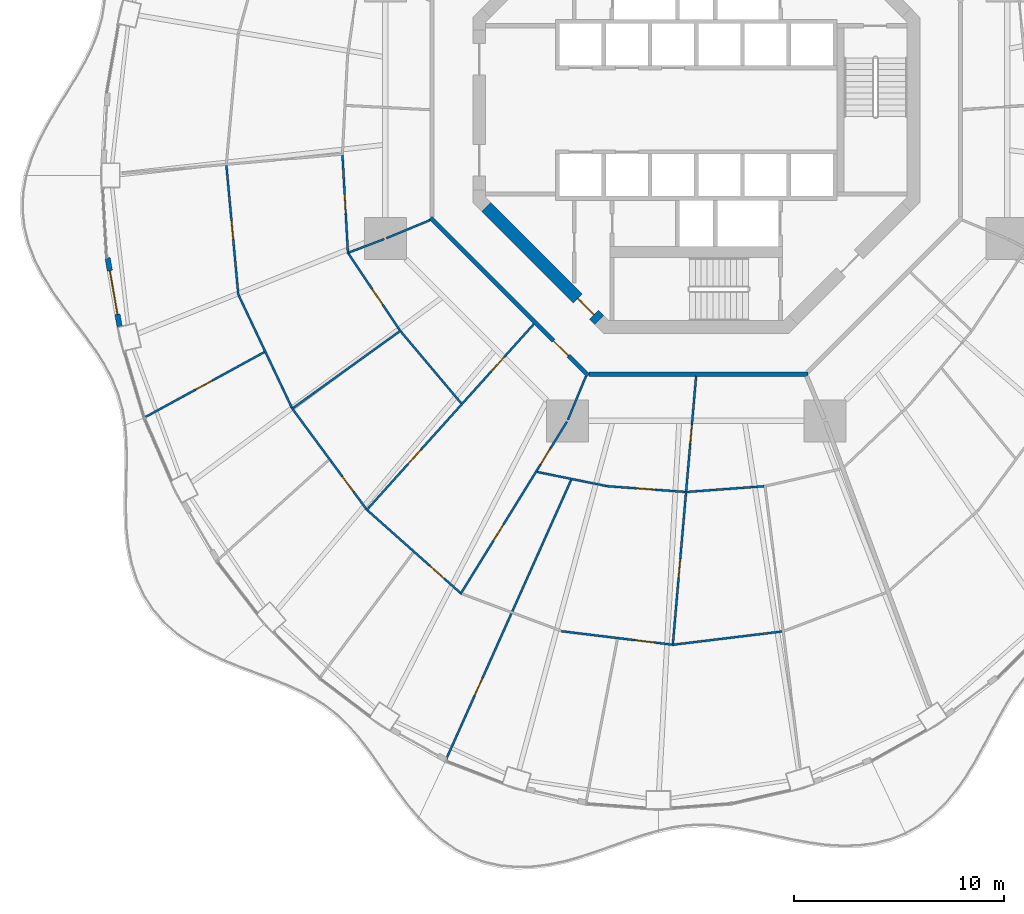
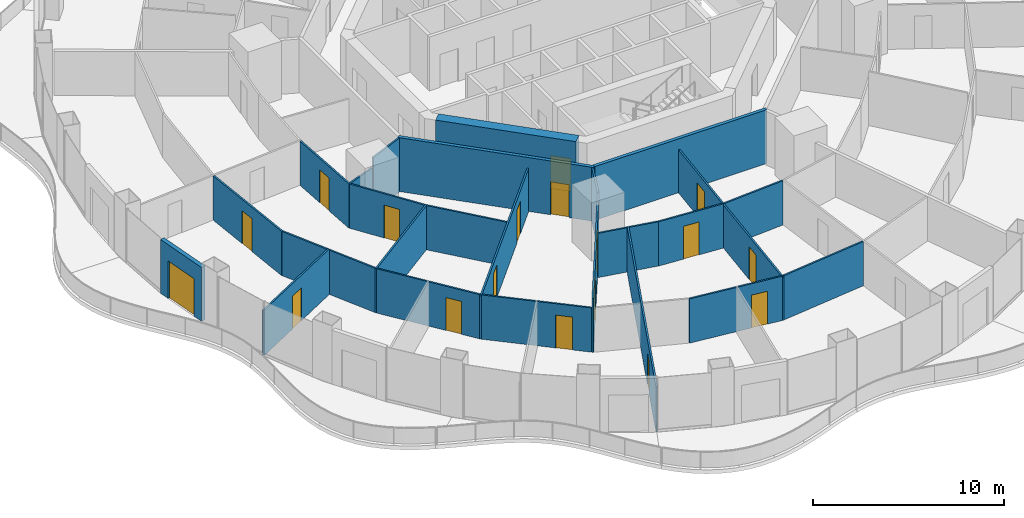
# One storey, part 12 of 20: 25 walls, 18 doors, 18 openings.
"""IFC4 building model written with IfcOpenShell, lengths in metres."""

from ifc_helpers import new_model, si_unit, direction, frame, frame_2d, origin, place, context, subcontext, project, spatial, rectangle, extrude, material, layer, layer_set, type_object, element, fill, save


model = new_model("IFC4")

# Units and contexts
model_context = context("Model", 3, precision=1e-05, world=origin(), true_north=direction((0.0, 1.0)))
body_context = subcontext(model_context, "Body", "Model", "MODEL_VIEW")
ifc_project = project(units=[si_unit("LENGTHUNIT", "METRE"), si_unit("AREAUNIT", "SQUARE_METRE"), si_unit("VOLUMEUNIT", "CUBIC_METRE"), si_unit("PLANEANGLEUNIT", "RADIAN"), si_unit("MASSUNIT", "GRAM", prefix="KILO")], contexts=[model_context])

# Site, building, storey
site_placement = place(None, origin())
site = spatial("IfcSite", under=ifc_project, at=site_placement, CompositionType="ELEMENT")
building_placement = place(site_placement, origin())
building = spatial("IfcBuilding", under=site, at=building_placement, Name="Nagisa Residences", CompositionType="ELEMENT")
storey_placement = place(building_placement, frame((0.0, 0.0, 123.300048828125)))
storey = spatial("IfcBuildingStorey", under=building, at=storey_placement, Name="L30", CompositionType="ELEMENT", Elevation=123.300048828125)

# Wall, opening, door
ifc_material_1 = material(Name="Gypsum board on steel studs", Category="steel")
ifc_layer_1 = layer(ifc_material_1, 0.199951171875)
ifc_layer_set_1 = layer_set([ifc_layer_1], Name="Apartment entry wall EI60 200")
wall_type_1 = type_object("IfcWallType", Name="Apartment entry wall EI60 200", PredefinedType="PARTITIONING", material=ifc_layer_set_1)
wall_1_placement = place(storey_placement, frame((-12.635498046875, -5.1337890625, 0.0), z_axis=(0.0, 0.0, 1.0), x_axis=(0.707106781187, -0.707106781187, 0.0)))
wall_1 = element("IfcWall", 1, at=wall_1_placement, inside=storey, type_object=wall_type_1, Name="wall:L30:u11", PredefinedType="PARTITIONING", context=body_context, shape_type="SweptSolid", body=[
    extrude(rectangle(XDim=10.609130859375, YDim=0.199951171875, at=frame_2d((5.3046875, 0.0))), origin(), (0.0, 0.0, 1.0), 3.43994140625),
])
opening_1_placement = place(wall_1_placement, frame((8.274169921875, 0.0, 0.0)))
opening_1 = element("IfcOpeningElement", 2, at=opening_1_placement, cuts=wall_1, Name="Opening L30-U14", PredefinedType="OPENING", context=body_context, shape_type="SweptSolid", body=[
    extrude(rectangle(XDim=1.0, YDim=2.10009765625, at=frame_2d((0.5, 1.050048828125))), frame((0.0, 0.10986328125, 0.0), z_axis=(0.0, -1.0, 0.0), x_axis=(1.0, 0.0, 0.0)), (0.0, 0.0, 1.0), 0.219970703125),
])
ifc_material_2 = material(Name="Timber fire door set", Category="wood")
door_type_1 = type_object("IfcDoorType", Name="Apartment entry door FD30S 1000x2100", OperationType="NOTDEFINED", PredefinedType="DOOR", material=ifc_material_2)
door_1_placement = place(opening_1_placement, frame((1.0, 0.0, 0.0), x_axis=(-1.0, 0.0, 0.0)))
door_1 = element("IfcDoor", 3, at=door_1_placement, inside=storey, type_object=door_type_1, Name="Entry door, Apartment 30B", OperationType="SINGLE_SWING_LEFT", OverallHeight=2.10009765625, OverallWidth=1.0, PredefinedType="DOOR", context=body_context, shape_type="SweptSolid", body=[
    extrude(rectangle(XDim=1.0, YDim=2.10009765625, at=frame_2d((0.5, 1.050048828125))), frame((0.0, 0.02490234375, 0.0), z_axis=(0.0, -1.0, 0.0), x_axis=(1.0, 0.0, 0.0)), (0.0, 0.0, 1.0), 0.050048828125),
])
fill(opening_1, door_1)

# Wall
wall_2_placement = place(storey_placement, frame((-5.1044921875, -12.564697265625, 0.0), z_axis=(0.0, 0.0, 1.0), x_axis=(1.0, 0.0, 0.0)))
element("IfcWall", 4, at=wall_2_placement, inside=storey, type_object=wall_type_1, Name="wall:L30:u12", PredefinedType="PARTITIONING", context=body_context, shape_type="SweptSolid", body=[
    extrude(rectangle(XDim=10.408935546875, YDim=0.199951171875, at=frame_2d((5.20458984375, 0.0))), origin(), (0.0, 0.0, 1.0), 3.43994140625),
])

# Wall, opening, door
ifc_material_3 = material(Name="Gypsum board on steel studs", Category="steel")
ifc_layer_2 = layer(ifc_material_3, 0.10009765625)
ifc_layer_set_2 = layer_set([ifc_layer_2], Name="Apartment partition 100")
wall_type_2 = type_object("IfcWallType", Name="Apartment partition 100", PredefinedType="PARTITIONING", material=ifc_layer_set_2)
wall_3_placement = place(storey_placement, frame((-16.81982421875, -2.158203125, 0.0), z_axis=(0.0, 0.0, 1.0), x_axis=(0.055967931845, -0.998432566879, 0.0)))
wall_3 = element("IfcWall", 5, at=wall_3_placement, inside=storey, type_object=wall_type_2, Name="wall:L30:u58", PredefinedType="PARTITIONING", context=body_context, shape_type="SweptSolid", body=[
    extrude(rectangle(XDim=4.697998046875, YDim=0.10009765625, at=frame_2d((2.34912109375, 0.0))), origin(), (0.0, 0.0, 1.0), 2.827880859375),
])
opening_2_placement = place(wall_3_placement, frame((1.8740234375, 0.0, 0.0)))
opening_2 = element("IfcOpeningElement", 6, at=opening_2_placement, cuts=wall_3, Name="Opening L30-U31", PredefinedType="OPENING", context=body_context, shape_type="SweptSolid", body=[
    extrude(rectangle(XDim=0.89990234375, YDim=2.10009765625, at=frame_2d((0.449951171875, 1.050048828125))), frame((0.0, 0.06005859375, 0.0), z_axis=(0.0, -1.0, 0.0), x_axis=(1.0, 0.0, 0.0)), (0.0, 0.0, 1.0), 0.1201171875),
])
ifc_material_4 = material(Name="Timber door set", Category="wood")
door_type_2 = type_object("IfcDoorType", Name="Apartment door 900x2100", OperationType="NOTDEFINED", PredefinedType="DOOR", material=ifc_material_4)
door_2_placement = place(opening_2_placement, origin())
door_2 = element("IfcDoor", 7, at=door_2_placement, inside=storey, type_object=door_type_2, Name="Door to store, Apartment 30B", OperationType="SINGLE_SWING_LEFT", OverallHeight=2.10009765625, OverallWidth=0.89990234375, PredefinedType="DOOR", context=body_context, shape_type="SweptSolid", body=[
    extrude(rectangle(XDim=0.89990234375, YDim=2.10009765625, at=frame_2d((0.449951171875, 1.050048828125))), frame((0.0, 0.02490234375, 0.0), z_axis=(0.0, -1.0, 0.0), x_axis=(1.0, 0.0, 0.0)), (0.0, 0.0, 1.0), 0.050048828125),
])
fill(opening_2, door_2)

wall_4_placement = place(storey_placement, frame((-22.337646484375, -2.64208984375, 0.0), z_axis=(0.0, 0.0, 1.0), x_axis=(0.091768304523, -0.995780386574, 0.0)))
wall_4 = element("IfcWall", 8, at=wall_4_placement, inside=storey, type_object=wall_type_2, Name="wall:L30:u59", PredefinedType="PARTITIONING", context=body_context, shape_type="SweptSolid", body=[
    extrude(rectangle(XDim=6.214599609375, YDim=0.10009765625, at=frame_2d((3.107421875, 0.0))), origin(), (0.0, 0.0, 1.0), 2.827880859375),
])
opening_3_placement = place(wall_4_placement, frame((2.63232421875, 0.0, 0.0)))
opening_3 = element("IfcOpeningElement", 9, at=opening_3_placement, cuts=wall_4, Name="Opening L30-U24", PredefinedType="OPENING", context=body_context, shape_type="SweptSolid", body=[
    extrude(rectangle(XDim=0.89990234375, YDim=2.10009765625, at=frame_2d((0.449951171875, 1.050048828125))), frame((0.0, 0.06005859375, 0.0), z_axis=(0.0, -1.0, 0.0), x_axis=(1.0, 0.0, 0.0)), (0.0, 0.0, 1.0), 0.1201171875),
])
door_3_placement = place(opening_3_placement, frame((0.89990234375, 0.0, 0.0), x_axis=(-1.0, 0.0, 0.0)))
door_3 = element("IfcDoor", 10, at=door_3_placement, inside=storey, type_object=door_type_2, Name="Door to living room, Apartment 30B", OperationType="SINGLE_SWING_LEFT", OverallHeight=2.10009765625, OverallWidth=0.89990234375, PredefinedType="DOOR", context=body_context, shape_type="SweptSolid", body=[
    extrude(rectangle(XDim=0.89990234375, YDim=2.10009765625, at=frame_2d((0.449951171875, 1.050048828125))), frame((0.0, 0.02490234375, 0.0), z_axis=(0.0, -1.0, 0.0), x_axis=(1.0, 0.0, 0.0)), (0.0, 0.0, 1.0), 0.050048828125),
])
fill(opening_3, door_3)

# Walls
wall_5_placement = place(storey_placement, frame((-12.6572265625, -5.24267578125, 0.0), z_axis=(0.0, 0.0, 1.0), x_axis=(-0.923864733477, -0.382719158442, 0.0)))
element("IfcWall", 11, at=wall_5_placement, inside=storey, type_object=wall_type_2, Name="wall:L30:u60", PredefinedType="PARTITIONING", context=body_context, shape_type="SweptSolid", body=[
    extrude(rectangle(XDim=2.25, YDim=0.10009765625, at=frame_2d((1.125, 0.0))), origin(), (0.0, 0.0, 1.0), 3.43994140625),
])
wall_6_placement = place(storey_placement, frame((-14.828857421875, -6.140625, 0.0), z_axis=(0.0, 0.0, 1.0), x_axis=(-0.934704367514, -0.355426146128, 0.0)))
element("IfcWall", 12, at=wall_6_placement, inside=storey, type_object=wall_type_2, Name="wall:L30:u61", PredefinedType="PARTITIONING", context=body_context, shape_type="SweptSolid", body=[
    extrude(rectangle(XDim=1.8017578125, YDim=0.10009765625, at=frame_2d((0.90087890625, 0.0))), origin(), (0.0, 0.0, 1.0), 2.827880859375),
])

# Wall, opening, door
wall_7_placement = place(storey_placement, frame((-16.53173828125, -6.84033203125, 0.0), z_axis=(0.0, 0.0, 1.0), x_axis=(0.556994773624, -0.830515997531, 0.0)))
wall_7 = element("IfcWall", 13, at=wall_7_placement, inside=storey, type_object=wall_type_2, Name="wall:L30:u62", PredefinedType="PARTITIONING", context=body_context, shape_type="SweptSolid", body=[
    extrude(rectangle(XDim=4.366455078125, YDim=0.10009765625, at=frame_2d((2.18310546875, 0.0))), origin(), (0.0, 0.0, 1.0), 2.827880859375),
])
opening_4_placement = place(wall_7_placement, frame((2.010009765625, 0.0, 0.0)))
opening_4 = element("IfcOpeningElement", 14, at=opening_4_placement, cuts=wall_7, Name="Opening L30-U18", PredefinedType="OPENING", context=body_context, shape_type="SweptSolid", body=[
    extrude(rectangle(XDim=0.89990234375, YDim=2.10009765625, at=frame_2d((0.449951171875, 1.050048828125))), frame((0.0, 0.06005859375, 0.0), z_axis=(0.0, -1.0, 0.0), x_axis=(1.0, 0.0, 0.0)), (0.0, 0.0, 1.0), 0.1201171875),
])
door_4_placement = place(opening_4_placement, frame((0.89990234375, 0.0, 0.0), x_axis=(-1.0, 0.0, 0.0)))
door_4 = element("IfcDoor", 15, at=door_4_placement, inside=storey, type_object=door_type_2, Name="Door to family room, Apartment 30B", OperationType="SINGLE_SWING_LEFT", OverallHeight=2.10009765625, OverallWidth=0.89990234375, PredefinedType="DOOR", context=body_context, shape_type="SweptSolid", body=[
    extrude(rectangle(XDim=0.89990234375, YDim=2.10009765625, at=frame_2d((0.449951171875, 1.050048828125))), frame((0.0, 0.02490234375, 0.0), z_axis=(0.0, -1.0, 0.0), x_axis=(1.0, 0.0, 0.0)), (0.0, 0.0, 1.0), 0.050048828125),
])
fill(opening_4, door_4)

# Wall
wall_8_placement = place(storey_placement, frame((-21.75048828125, -8.826171875, 0.0), z_axis=(0.0, 0.0, 1.0), x_axis=(0.427739388908, -0.903902104863, 0.0)))
element("IfcWall", 16, at=wall_8_placement, inside=storey, type_object=wall_type_2, Name="wall:L30:u63", PredefinedType="PARTITIONING", context=body_context, shape_type="SweptSolid", body=[
    extrude(rectangle(XDim=5.89892578125, YDim=0.10009765625, at=frame_2d((2.949462890625, 0.0))), origin(), (0.0, 0.0, 1.0), 2.827880859375),
])

# Wall, opening, door
wall_9_placement = place(storey_placement, frame((-20.53271484375, -11.51611328125, 0.0), z_axis=(0.0, 0.0, 1.0), x_axis=(-0.877731656478, -0.479152521872, 0.0)))
wall_9 = element("IfcWall", 17, at=wall_9_placement, inside=storey, type_object=wall_type_2, Name="wall:L30:u64", PredefinedType="PARTITIONING", context=body_context, shape_type="SweptSolid", body=[
    extrude(rectangle(XDim=6.5478515625, YDim=0.10009765625, at=frame_2d((3.27392578125, 0.0))), origin(), (0.0, 0.0, 1.0), 2.905029296875),
])
opening_5_placement = place(wall_9_placement, frame((2.823974609375, 0.0, 0.0)))
opening_5 = element("IfcOpeningElement", 18, at=opening_5_placement, cuts=wall_9, Name="Opening L30-U25", PredefinedType="OPENING", context=body_context, shape_type="SweptSolid", body=[
    extrude(rectangle(XDim=0.89990234375, YDim=2.10009765625, at=frame_2d((0.449951171875, 1.050048828125))), frame((0.0, 0.06005859375, 0.0), z_axis=(0.0, -1.0, 0.0), x_axis=(1.0, 0.0, 0.0)), (0.0, 0.0, 1.0), 0.1201171875),
])
door_5_placement = place(opening_5_placement, origin())
door_5 = element("IfcDoor", 19, at=door_5_placement, inside=storey, type_object=door_type_2, Name="Door to master bedroom, Apartment 30B", OperationType="SINGLE_SWING_LEFT", OverallHeight=2.10009765625, OverallWidth=0.89990234375, PredefinedType="DOOR", context=body_context, shape_type="SweptSolid", body=[
    extrude(rectangle(XDim=0.89990234375, YDim=2.10009765625, at=frame_2d((0.449951171875, 1.050048828125))), frame((0.0, 0.02490234375, 0.0), z_axis=(0.0, -1.0, 0.0), x_axis=(1.0, 0.0, 0.0)), (0.0, 0.0, 1.0), 0.050048828125),
])
fill(opening_5, door_5)

# Walls
wall_10_placement = place(storey_placement, frame((-14.03125, -10.479248046875, 0.0), z_axis=(0.0, 0.0, 1.0), x_axis=(-0.811653955345, -0.584138559567, 0.0)))
element("IfcWall", 20, at=wall_10_placement, inside=storey, type_object=wall_type_2, Name="wall:L30:u65", PredefinedType="PARTITIONING", context=body_context, shape_type="SweptSolid", body=[
    extrude(rectangle(XDim=6.425537109375, YDim=0.10009765625, at=frame_2d((3.212890625, 0.0))), origin(), (0.0, 0.0, 1.0), 2.827880859375),
])
wall_11_placement = place(storey_placement, frame((-14.03955078125, -10.546630859375, 0.0), z_axis=(0.0, 0.0, 1.0), x_axis=(0.644036028289, -0.764995159635, 0.0)))
element("IfcWall", 21, at=wall_11_placement, inside=storey, type_object=wall_type_2, Name="wall:L30:u66", PredefinedType="PARTITIONING", context=body_context, shape_type="SweptSolid", body=[
    extrude(rectangle(XDim=4.448486328125, YDim=0.10009765625, at=frame_2d((2.22412109375, 0.0))), origin(), (0.0, 0.0, 1.0), 2.827880859375),
])

# Wall, opening, door
wall_12_placement = place(storey_placement, frame((-19.17626953125, -14.24365234375, 0.0), z_axis=(0.0, 0.0, 1.0), x_axis=(0.593532053206, -0.80481035146, 0.0)))
wall_12 = element("IfcWall", 22, at=wall_12_placement, inside=storey, type_object=wall_type_2, Name="wall:L30:u67", PredefinedType="PARTITIONING", context=body_context, shape_type="SweptSolid", body=[
    extrude(rectangle(XDim=5.8759765625, YDim=0.10009765625, at=frame_2d((2.93798828125, 0.0))), origin(), (0.0, 0.0, 1.0), 2.827880859375),
])
opening_6_placement = place(wall_12_placement, frame((3.956787109375, 0.0, 0.0)))
opening_6 = element("IfcOpeningElement", 23, at=opening_6_placement, cuts=wall_12, Name="Opening L30-U26", PredefinedType="OPENING", context=body_context, shape_type="SweptSolid", body=[
    extrude(rectangle(XDim=0.89990234375, YDim=2.10009765625, at=frame_2d((0.449951171875, 1.050048828125))), frame((0.0, 0.06005859375, 0.0), z_axis=(0.0, -1.0, 0.0), x_axis=(1.0, 0.0, 0.0)), (0.0, 0.0, 1.0), 0.1201171875),
])
door_6_placement = place(opening_6_placement, frame((0.89990234375, 0.0, 0.0), x_axis=(-1.0, 0.0, 0.0)))
door_6 = element("IfcDoor", 24, at=door_6_placement, inside=storey, type_object=door_type_2, Name="Door to dining room, Apartment 30B", OperationType="SINGLE_SWING_LEFT", OverallHeight=2.10009765625, OverallWidth=0.89990234375, PredefinedType="DOOR", context=body_context, shape_type="SweptSolid", body=[
    extrude(rectangle(XDim=0.89990234375, YDim=2.10009765625, at=frame_2d((0.449951171875, 1.050048828125))), frame((0.0, 0.02490234375, 0.0), z_axis=(0.0, -1.0, 0.0), x_axis=(1.0, 0.0, 0.0)), (0.0, 0.0, 1.0), 0.050048828125),
])
fill(opening_6, door_6)

# Wall, openings, doors
wall_13_placement = place(storey_placement, frame((-7.724853515625, -10.185791015625, 0.0), z_axis=(0.0, 0.0, 1.0), x_axis=(-0.668498346565, -0.743713628112, 0.0)))
wall_13 = element("IfcWall", 25, at=wall_13_placement, inside=storey, type_object=wall_type_2, Name="wall:L30:u69", PredefinedType="PARTITIONING", context=body_context, shape_type="SweptSolid", body=[
    extrude(rectangle(XDim=11.9189453125, YDim=0.10009765625, at=frame_2d((5.95947265625, 0.0))), origin(), (0.0, 0.0, 1.0), 2.755859375),
])
opening_7_placement = place(wall_13_placement, frame((2.106201171875, 0.0, 0.0)))
opening_7 = element("IfcOpeningElement", 26, at=opening_7_placement, cuts=wall_13, Name="Opening L30-U15", PredefinedType="OPENING", context=body_context, shape_type="SweptSolid", body=[
    extrude(rectangle(XDim=0.89990234375, YDim=2.10009765625, at=frame_2d((0.449951171875, 1.050048828125))), frame((0.0, 0.06005859375, 0.0), z_axis=(0.0, -1.0, 0.0), x_axis=(1.0, 0.0, 0.0)), (0.0, 0.0, 1.0), 0.1201171875),
])
opening_8_placement = place(wall_13_placement, frame((8.040771484375, 0.0, 0.0)))
opening_8 = element("IfcOpeningElement", 27, at=opening_8_placement, cuts=wall_13, Name="Opening L30-U19", PredefinedType="OPENING", context=body_context, shape_type="SweptSolid", body=[
    extrude(rectangle(XDim=0.89990234375, YDim=2.10009765625, at=frame_2d((0.449951171875, 1.050048828125))), frame((0.0, 0.06005859375, 0.0), z_axis=(0.0, -1.0, 0.0), x_axis=(1.0, 0.0, 0.0)), (0.0, 0.0, 1.0), 0.1201171875),
])
door_7_placement = place(opening_7_placement, frame((0.89990234375, 0.0, 0.0), x_axis=(-1.0, 0.0, 0.0)))
door_7 = element("IfcDoor", 28, at=door_7_placement, inside=storey, type_object=door_type_2, Name="Door to store, Apartment 30B", OperationType="SINGLE_SWING_RIGHT", OverallHeight=2.10009765625, OverallWidth=0.89990234375, PredefinedType="DOOR", context=body_context, shape_type="SweptSolid", body=[
    extrude(rectangle(XDim=0.89990234375, YDim=2.10009765625, at=frame_2d((0.449951171875, 1.050048828125))), frame((0.0, 0.02490234375, 0.0), z_axis=(0.0, -1.0, 0.0), x_axis=(1.0, 0.0, 0.0)), (0.0, 0.0, 1.0), 0.050048828125),
])
fill(opening_7, door_7)
door_8_placement = place(opening_8_placement, frame((0.89990234375, 0.0, 0.0), x_axis=(-1.0, 0.0, 0.0)))
door_8 = element("IfcDoor", 29, at=door_8_placement, inside=storey, type_object=door_type_2, Name="Door to kitchen, Apartment 30B", OperationType="SINGLE_SWING_RIGHT", OverallHeight=2.10009765625, OverallWidth=0.89990234375, PredefinedType="DOOR", context=body_context, shape_type="SweptSolid", body=[
    extrude(rectangle(XDim=0.89990234375, YDim=2.10009765625, at=frame_2d((0.449951171875, 1.050048828125))), frame((0.0, 0.02490234375, 0.0), z_axis=(0.0, -1.0, 0.0), x_axis=(1.0, 0.0, 0.0)), (0.0, 0.0, 1.0), 0.050048828125),
])
fill(opening_8, door_8)

# Wall, opening, door
wall_14_placement = place(storey_placement, frame((-15.621826171875, -19.046142578125, 0.0), z_axis=(0.0, 0.0, 1.0), x_axis=(0.747342891849, -0.664438561496, 0.0)))
wall_14 = element("IfcWall", 30, at=wall_14_placement, inside=storey, type_object=wall_type_2, Name="wall:L30:u70", PredefinedType="PARTITIONING", context=body_context, shape_type="SweptSolid", body=[
    extrude(rectangle(XDim=5.880859375, YDim=0.10009765625, at=frame_2d((2.9404296875, 0.0))), origin(), (0.0, 0.0, 1.0), 2.827880859375),
])
opening_9_placement = place(wall_14_placement, frame((3.960693359375, 0.0, 0.0)))
opening_9 = element("IfcOpeningElement", 31, at=opening_9_placement, cuts=wall_14, Name="Opening L30-U27", PredefinedType="OPENING", context=body_context, shape_type="SweptSolid", body=[
    extrude(rectangle(XDim=0.89990234375, YDim=2.10009765625, at=frame_2d((0.449951171875, 1.050048828125))), frame((0.0, 0.06005859375, 0.0), z_axis=(0.0, -1.0, 0.0), x_axis=(1.0, 0.0, 0.0)), (0.0, 0.0, 1.0), 0.1201171875),
])
door_9_placement = place(opening_9_placement, frame((0.89990234375, 0.0, 0.0), x_axis=(-1.0, 0.0, 0.0)))
door_9 = element("IfcDoor", 32, at=door_9_placement, inside=storey, type_object=door_type_2, Name="Door to living room, Apartment 30B", OperationType="SINGLE_SWING_RIGHT", OverallHeight=2.10009765625, OverallWidth=0.89990234375, PredefinedType="DOOR", context=body_context, shape_type="SweptSolid", body=[
    extrude(rectangle(XDim=0.89990234375, YDim=2.10009765625, at=frame_2d((0.449951171875, 1.050048828125))), frame((0.0, 0.02490234375, 0.0), z_axis=(0.0, -1.0, 0.0), x_axis=(1.0, 0.0, 0.0)), (0.0, 0.0, 1.0), 0.050048828125),
])
fill(opening_9, door_9)

# Wall
wall_15_placement = place(storey_placement, frame((-5.24267578125, -12.6572265625, 0.0), z_axis=(0.0, 0.0, 1.0), x_axis=(-0.382811769845, -0.923826362943, 0.0)))
element("IfcWall", 33, at=wall_15_placement, inside=storey, type_object=wall_type_2, Name="wall:L30:u72", PredefinedType="PARTITIONING", context=body_context, shape_type="SweptSolid", body=[
    extrude(rectangle(XDim=2.25, YDim=0.10009765625, at=frame_2d((1.125, 0.0))), origin(), (0.0, 0.0, 1.0), 3.43994140625),
])

# Wall, openings, doors
wall_16_placement = place(storey_placement, frame((-6.149169921875, -14.82470703125, 0.0), z_axis=(0.0, 0.0, 1.0), x_axis=(-0.525396393596, -0.850857584791, 0.0)))
wall_16 = element("IfcWall", 34, at=wall_16_placement, inside=storey, type_object=wall_type_2, Name="wall:L30:u73", PredefinedType="PARTITIONING", context=body_context, shape_type="SweptSolid", body=[
    extrude(rectangle(XDim=9.64306640625, YDim=0.10009765625, at=frame_2d((4.821533203125, 0.0))), origin(), (0.0, 0.0, 1.0), 3.43994140625),
])
opening_10_placement = place(wall_16_placement, frame((1.48486328125, 0.0, 0.0)))
opening_10 = element("IfcOpeningElement", 35, at=opening_10_placement, cuts=wall_16, Name="Opening L30-U16", PredefinedType="OPENING", context=body_context, shape_type="SweptSolid", body=[
    extrude(rectangle(XDim=0.89990234375, YDim=2.10009765625, at=frame_2d((0.449951171875, 1.050048828125))), frame((0.0, 0.06005859375, 0.0), z_axis=(0.0, -1.0, 0.0), x_axis=(1.0, 0.0, 0.0)), (0.0, 0.0, 1.0), 0.1201171875),
])
opening_11_placement = place(wall_16_placement, frame((5.743896484375, 0.0, 0.0)))
opening_11 = element("IfcOpeningElement", 36, at=opening_11_placement, cuts=wall_16, Name="Opening L30-U20", PredefinedType="OPENING", context=body_context, shape_type="SweptSolid", body=[
    extrude(rectangle(XDim=0.89990234375, YDim=2.10009765625, at=frame_2d((0.449951171875, 1.050048828125))), frame((0.0, 0.06005859375, 0.0), z_axis=(0.0, -1.0, 0.0), x_axis=(1.0, 0.0, 0.0)), (0.0, 0.0, 1.0), 0.1201171875),
])
door_10_placement = place(opening_10_placement, origin())
door_10 = element("IfcDoor", 37, at=door_10_placement, inside=storey, type_object=door_type_2, Name="Door to laundry, Apartment 30B", OperationType="SINGLE_SWING_RIGHT", OverallHeight=2.10009765625, OverallWidth=0.89990234375, PredefinedType="DOOR", context=body_context, shape_type="SweptSolid", body=[
    extrude(rectangle(XDim=0.89990234375, YDim=2.10009765625, at=frame_2d((0.449951171875, 1.050048828125))), frame((0.0, 0.02490234375, 0.0), z_axis=(0.0, -1.0, 0.0), x_axis=(1.0, 0.0, 0.0)), (0.0, 0.0, 1.0), 0.050048828125),
])
fill(opening_10, door_10)
door_11_placement = place(opening_11_placement, origin())
door_11 = element("IfcDoor", 38, at=door_11_placement, inside=storey, type_object=door_type_2, Name="Door to family bathroom, Apartment 30B", OperationType="SINGLE_SWING_RIGHT", OverallHeight=2.10009765625, OverallWidth=0.89990234375, PredefinedType="DOOR", context=body_context, shape_type="SweptSolid", body=[
    extrude(rectangle(XDim=0.89990234375, YDim=2.10009765625, at=frame_2d((0.449951171875, 1.050048828125))), frame((0.0, 0.02490234375, 0.0), z_axis=(0.0, -1.0, 0.0), x_axis=(1.0, 0.0, 0.0)), (0.0, 0.0, 1.0), 0.050048828125),
])
fill(opening_11, door_11)

# Wall
wall_17_placement = place(storey_placement, frame((-7.568359375, -17.21240234375, 0.0), z_axis=(0.0, 0.0, 1.0), x_axis=(0.979967079473, -0.199159541946, 0.0)))
element("IfcWall", 39, at=wall_17_placement, inside=storey, type_object=wall_type_2, Name="wall:L30:u74", PredefinedType="PARTITIONING", context=body_context, shape_type="SweptSolid", body=[
    extrude(rectangle(XDim=3.3466796875, YDim=0.10009765625, at=frame_2d((1.67333984375, 0.0))), origin(), (0.0, 0.0, 1.0), 2.827880859375),
])

# Wall, opening, door
wall_18_placement = place(storey_placement, frame((-5.94921875, -17.59130859375, 0.0), z_axis=(0.0, 0.0, 1.0), x_axis=(-0.40838467696, -0.912809923053, 0.0)))
wall_18 = element("IfcWall", 40, at=wall_18_placement, inside=storey, type_object=wall_type_2, Name="wall:L30:u76", PredefinedType="PARTITIONING", context=body_context, shape_type="SweptSolid", body=[
    extrude(rectangle(XDim=14.6650390625, YDim=0.10009765625, at=frame_2d((7.33251953125, 0.0))), origin(), (0.0, 0.0, 1.0), 2.905029296875),
])
opening_12_placement = place(wall_18_placement, frame((10.333984375, 0.0, 0.0)))
opening_12 = element("IfcOpeningElement", 41, at=opening_12_placement, cuts=wall_18, Name="Opening L30-U28", PredefinedType="OPENING", context=body_context, shape_type="SweptSolid", body=[
    extrude(rectangle(XDim=0.89990234375, YDim=2.10009765625, at=frame_2d((0.449951171875, 1.050048828125))), frame((0.0, 0.06005859375, 0.0), z_axis=(0.0, -1.0, 0.0), x_axis=(1.0, 0.0, 0.0)), (0.0, 0.0, 1.0), 0.1201171875),
])
door_12_placement = place(opening_12_placement, origin())
door_12 = element("IfcDoor", 42, at=door_12_placement, inside=storey, type_object=door_type_2, Name="Door to master bedroom, Apartment 30B", OperationType="SINGLE_SWING_RIGHT", OverallHeight=2.10009765625, OverallWidth=0.89990234375, PredefinedType="DOOR", context=body_context, shape_type="SweptSolid", body=[
    extrude(rectangle(XDim=0.89990234375, YDim=2.10009765625, at=frame_2d((0.449951171875, 1.050048828125))), frame((0.0, 0.02490234375, 0.0), z_axis=(0.0, -1.0, 0.0), x_axis=(1.0, 0.0, 0.0)), (0.0, 0.0, 1.0), 0.050048828125),
])
fill(opening_12, door_12)

wall_19_placement = place(storey_placement, frame((-4.289794921875, -17.88525390625, 0.0), z_axis=(0.0, 0.0, 1.0), x_axis=(0.997272353708, -0.073809569363, 0.0)))
wall_19 = element("IfcWall", 43, at=wall_19_placement, inside=storey, type_object=wall_type_2, Name="wall:L30:u77", PredefinedType="PARTITIONING", context=body_context, shape_type="SweptSolid", body=[
    extrude(rectangle(XDim=3.76416015625, YDim=0.10009765625, at=frame_2d((1.882080078125, 0.0))), origin(), (0.0, 0.0, 1.0), 2.827880859375),
])
opening_13_placement = place(wall_19_placement, frame((1.45703125, 0.0, 0.0)))
opening_13 = element("IfcOpeningElement", 44, at=opening_13_placement, cuts=wall_19, Name="Opening L30-U21", PredefinedType="OPENING", context=body_context, shape_type="SweptSolid", body=[
    extrude(rectangle(XDim=0.89990234375, YDim=2.10009765625, at=frame_2d((0.449951171875, 1.050048828125))), frame((0.0, 0.06005859375, 0.0), z_axis=(0.0, -1.0, 0.0), x_axis=(1.0, 0.0, 0.0)), (0.0, 0.0, 1.0), 0.1201171875),
])
door_13_placement = place(opening_13_placement, frame((0.89990234375, 0.0, 0.0), x_axis=(-1.0, 0.0, 0.0)))
door_13 = element("IfcDoor", 45, at=door_13_placement, inside=storey, type_object=door_type_2, Name="Door to family room, Apartment 30B", OperationType="SINGLE_SWING_RIGHT", OverallHeight=2.10009765625, OverallWidth=0.89990234375, PredefinedType="DOOR", context=body_context, shape_type="SweptSolid", body=[
    extrude(rectangle(XDim=0.89990234375, YDim=2.10009765625, at=frame_2d((0.449951171875, 1.050048828125))), frame((0.0, 0.02490234375, 0.0), z_axis=(0.0, -1.0, 0.0), x_axis=(1.0, 0.0, 0.0)), (0.0, 0.0, 1.0), 0.050048828125),
])
fill(opening_13, door_13)

wall_20_placement = place(storey_placement, frame((-6.41259765625, -24.784423828125, 0.0), z_axis=(0.0, 0.0, 1.0), x_axis=(0.992690077723, -0.120691381588, 0.0)))
wall_20 = element("IfcWall", 46, at=wall_20_placement, inside=storey, type_object=wall_type_2, Name="wall:L30:u78", PredefinedType="PARTITIONING", context=body_context, shape_type="SweptSolid", body=[
    extrude(rectangle(XDim=5.28564453125, YDim=0.10009765625, at=frame_2d((2.642822265625, 0.0))), origin(), (0.0, 0.0, 1.0), 2.827880859375),
])
opening_14_placement = place(wall_20_placement, frame((3.5390625, 0.0, 0.0)))
opening_14 = element("IfcOpeningElement", 47, at=opening_14_placement, cuts=wall_20, Name="Opening L30-U29", PredefinedType="OPENING", context=body_context, shape_type="SweptSolid", body=[
    extrude(rectangle(XDim=0.89990234375, YDim=2.10009765625, at=frame_2d((0.449951171875, 1.050048828125))), frame((0.0, 0.06005859375, 0.0), z_axis=(0.0, -1.0, 0.0), x_axis=(1.0, 0.0, 0.0)), (0.0, 0.0, 1.0), 0.1201171875),
])
door_14_placement = place(opening_14_placement, frame((0.89990234375, 0.0, 0.0), x_axis=(-1.0, 0.0, 0.0)))
door_14 = element("IfcDoor", 48, at=door_14_placement, inside=storey, type_object=door_type_2, Name="Door to family room, Apartment 30B", OperationType="SINGLE_SWING_RIGHT", OverallHeight=2.10009765625, OverallWidth=0.89990234375, PredefinedType="DOOR", context=body_context, shape_type="SweptSolid", body=[
    extrude(rectangle(XDim=0.89990234375, YDim=2.10009765625, at=frame_2d((0.449951171875, 1.050048828125))), frame((0.0, 0.02490234375, 0.0), z_axis=(0.0, -1.0, 0.0), x_axis=(1.0, 0.0, 0.0)), (0.0, 0.0, 1.0), 0.050048828125),
])
fill(opening_14, door_14)

# Wall, openings, doors
wall_21_placement = place(storey_placement, frame((-0.008544921875, -12.664306640625, 0.0), z_axis=(0.0, 0.0, 1.0), x_axis=(-0.086441225464, -0.996256952066, 0.0)))
wall_21 = element("IfcWall", 49, at=wall_21_placement, inside=storey, type_object=wall_type_2, Name="wall:L30:u80", PredefinedType="PARTITIONING", context=body_context, shape_type="SweptSolid", body=[
    extrude(rectangle(XDim=12.862060546875, YDim=0.10009765625, at=frame_2d((6.43115234375, 0.0))), origin(), (0.0, 0.0, 1.0), 2.755859375),
])
opening_15_placement = place(wall_21_placement, frame((2.3115234375, 0.0, 0.0)))
opening_15 = element("IfcOpeningElement", 50, at=opening_15_placement, cuts=wall_21, Name="Opening L30-U17", PredefinedType="OPENING", context=body_context, shape_type="SweptSolid", body=[
    extrude(rectangle(XDim=0.89990234375, YDim=2.10009765625, at=frame_2d((0.449951171875, 1.050048828125))), frame((0.0, 0.06005859375, 0.0), z_axis=(0.0, -1.0, 0.0), x_axis=(1.0, 0.0, 0.0)), (0.0, 0.0, 1.0), 0.1201171875),
])
opening_16_placement = place(wall_21_placement, frame((8.717529296875, 0.0, 0.0)))
opening_16 = element("IfcOpeningElement", 51, at=opening_16_placement, cuts=wall_21, Name="Opening L30-U22", PredefinedType="OPENING", context=body_context, shape_type="SweptSolid", body=[
    extrude(rectangle(XDim=0.89990234375, YDim=2.10009765625, at=frame_2d((0.449951171875, 1.050048828125))), frame((0.0, 0.06005859375, 0.0), z_axis=(0.0, -1.0, 0.0), x_axis=(1.0, 0.0, 0.0)), (0.0, 0.0, 1.0), 0.1201171875),
])
door_15_placement = place(opening_15_placement, origin())
door_15 = element("IfcDoor", 52, at=door_15_placement, inside=storey, type_object=door_type_2, Name="Door to store, Apartment 30B", OperationType="SINGLE_SWING_LEFT", OverallHeight=2.10009765625, OverallWidth=0.89990234375, PredefinedType="DOOR", context=body_context, shape_type="SweptSolid", body=[
    extrude(rectangle(XDim=0.89990234375, YDim=2.10009765625, at=frame_2d((0.449951171875, 1.050048828125))), frame((0.0, 0.02490234375, 0.0), z_axis=(0.0, -1.0, 0.0), x_axis=(1.0, 0.0, 0.0)), (0.0, 0.0, 1.0), 0.050048828125),
])
fill(opening_15, door_15)
door_16_placement = place(opening_16_placement, origin())
door_16 = element("IfcDoor", 53, at=door_16_placement, inside=storey, type_object=door_type_2, Name="Door to kitchen, Apartment 30B", OperationType="SINGLE_SWING_RIGHT", OverallHeight=2.10009765625, OverallWidth=0.89990234375, PredefinedType="DOOR", context=body_context, shape_type="SweptSolid", body=[
    extrude(rectangle(XDim=0.89990234375, YDim=2.10009765625, at=frame_2d((0.449951171875, 1.050048828125))), frame((0.0, 0.02490234375, 0.0), z_axis=(0.0, -1.0, 0.0), x_axis=(1.0, 0.0, 0.0)), (0.0, 0.0, 1.0), 0.050048828125),
])
fill(opening_16, door_16)

# Walls
wall_22_placement = place(storey_placement, frame((-0.43603515625, -18.1630859375, 0.0), z_axis=(0.0, 0.0, 1.0), x_axis=(0.997271025958, 0.073827506966, 0.0)))
element("IfcWall", 54, at=wall_22_placement, inside=storey, type_object=wall_type_2, Name="wall:L30:u81", PredefinedType="PARTITIONING", context=body_context, shape_type="SweptSolid", body=[
    extrude(rectangle(XDim=3.6640625, YDim=0.10009765625, at=frame_2d((1.83203125, 0.0))), origin(), (0.0, 0.0, 1.0), 2.827880859375),
])
wall_23_placement = place(storey_placement, frame((-1.06640625, -25.42236328125, 0.0), z_axis=(0.0, 0.0, 1.0), x_axis=(0.992692993044, 0.120667400577, 0.0)))
element("IfcWall", 55, at=wall_23_placement, inside=storey, type_object=wall_type_2, Name="wall:L30:u82", PredefinedType="PARTITIONING", context=body_context, shape_type="SweptSolid", body=[
    extrude(rectangle(XDim=5.185546875, YDim=0.10009765625, at=frame_2d((2.5927734375, 0.0))), origin(), (0.0, 0.0, 1.0), 2.827880859375),
])

# Wall, opening, door
ifc_material_5 = material(Name="Precast concrete C40/50", Category="concrete")
ifc_layer_3 = layer(ifc_material_5, 0.25)
ifc_layer_set_3 = layer_set([ifc_layer_3], Name="BALCONY DOOR WALL 250")
wall_type_3 = type_object("IfcWallType", Name="BALCONY DOOR WALL 250", PredefinedType="SOLIDWALL", material=ifc_layer_set_3)
wall_24_placement = place(storey_placement, frame((-27.4111328125, -10.320068359375, 0.0), z_axis=(0.0, 0.0, 1.0), x_axis=(-0.172163521006, 0.985068384446, 0.0)))
wall_24 = element("IfcWall", 56, at=wall_24_placement, inside=storey, type_object=wall_type_3, Name="wall:L30:bay25", PredefinedType="SOLIDWALL", context=body_context, shape_type="SweptSolid", body=[
    extrude(rectangle(XDim=3.33251953125, YDim=0.25, at=frame_2d((1.666259765625, 0.0))), origin(), (0.0, 0.0, 1.0), 3.43994140625),
])
opening_17_placement = place(wall_24_placement, frame((0.6162109375, 0.0, 0.0)))
opening_17 = element("IfcOpeningElement", 57, at=opening_17_placement, cuts=wall_24, Name="Opening BD-L30-09", PredefinedType="OPENING", context=body_context, shape_type="SweptSolid", body=[
    extrude(rectangle(XDim=2.10009765625, YDim=2.39990234375, at=frame_2d((1.050048828125, 1.199951171875))), frame((0.0, 0.135009765625, 0.0), z_axis=(0.0, -1.0, 0.0), x_axis=(1.0, 0.0, 0.0)), (0.0, 0.0, 1.0), 0.27001953125),
])
ifc_material_6 = material(Name="Aluminium and clear glass", Category="aluminium")
door_type_3 = type_object("IfcDoorType", Name="BALCONY SLIDING DOOR 2100x2400", OperationType="SLIDING_TO_LEFT", PredefinedType="DOOR", material=ifc_material_6)
door_17_placement = place(opening_17_placement, origin())
door_17 = element("IfcDoor", 58, at=door_17_placement, inside=storey, type_object=door_type_3, Name="door:L30:bay25", OperationType="SLIDING_TO_LEFT", OverallHeight=2.39990234375, OverallWidth=2.10009765625, PredefinedType="DOOR", context=body_context, shape_type="SweptSolid", body=[
    extrude(rectangle(XDim=2.10009765625, YDim=2.39990234375, at=frame_2d((1.050048828125, 1.199951171875))), frame((0.0, 0.02490234375, 0.0), z_axis=(0.0, -1.0, 0.0), x_axis=(1.0, 0.0, 0.0)), (0.0, 0.0, 1.0), 0.050048828125),
])
fill(opening_17, door_17)

ifc_material_7 = material(Name="Concrete C60", Category="concrete")
ifc_layer_4 = layer(ifc_material_7, 0.60009765625)
ifc_layer_set_4 = layer_set([ifc_layer_4], Name="Core shear wall 600")
wall_type_4 = type_object("IfcWallType", Name="Core shear wall 600", PredefinedType="SHEAR", material=ifc_layer_set_4)
wall_25_placement = place(storey_placement, frame((-9.98828125, -4.613037109375, 0.0), z_axis=(0.0, 0.0, 1.0), x_axis=(0.707106781187, -0.707106781187, 0.0)))
wall_25 = element("IfcWall", 59, at=wall_25_placement, inside=storey, type_object=wall_type_4, Name="wall:L30:core:flat5", PredefinedType="SHEAR", context=body_context, shape_type="SweptSolid", body=[
    extrude(rectangle(XDim=7.601806640625, YDim=0.60009765625, at=frame_2d((3.80078125, 0.0))), origin(), (0.0, 0.0, 1.0), 3.43994140625),
])
opening_18_placement = place(wall_25_placement, frame((6.15087890625, 0.0, 0.0)))
opening_18 = element("IfcOpeningElement", 60, at=opening_18_placement, cuts=wall_25, Name="Opening L30-C20", PredefinedType="OPENING", context=body_context, shape_type="SweptSolid", body=[
    extrude(rectangle(XDim=1.10009765625, YDim=2.10009765625, at=frame_2d((0.550048828125, 1.050048828125))), frame((0.0, 0.31005859375, 0.0), z_axis=(0.0, -1.0, 0.0), x_axis=(1.0, 0.0, 0.0)), (0.0, 0.0, 1.0), 0.6201171875),
])
ifc_material_8 = material(Name="Steel fire door", Category="steel")
door_type_4 = type_object("IfcDoorType", Name="Fire door EI60 1100x2100 single swing", OperationType="NOTDEFINED", PredefinedType="DOOR", material=ifc_material_8)
door_18_placement = place(opening_18_placement, origin())
door_18 = element("IfcDoor", 61, at=door_18_placement, inside=storey, type_object=door_type_4, Name="Housekeeping lobby door L30", OperationType="SINGLE_SWING_RIGHT", OverallHeight=2.10009765625, OverallWidth=1.10009765625, PredefinedType="DOOR", context=body_context, shape_type="SweptSolid", body=[
    extrude(rectangle(XDim=1.10009765625, YDim=2.10009765625, at=frame_2d((0.550048828125, 1.050048828125))), frame((0.0, 0.02490234375, 0.0), z_axis=(0.0, -1.0, 0.0), x_axis=(1.0, 0.0, 0.0)), (0.0, 0.0, 1.0), 0.050048828125),
])
fill(opening_18, door_18)

save(model, "model.ifc")
